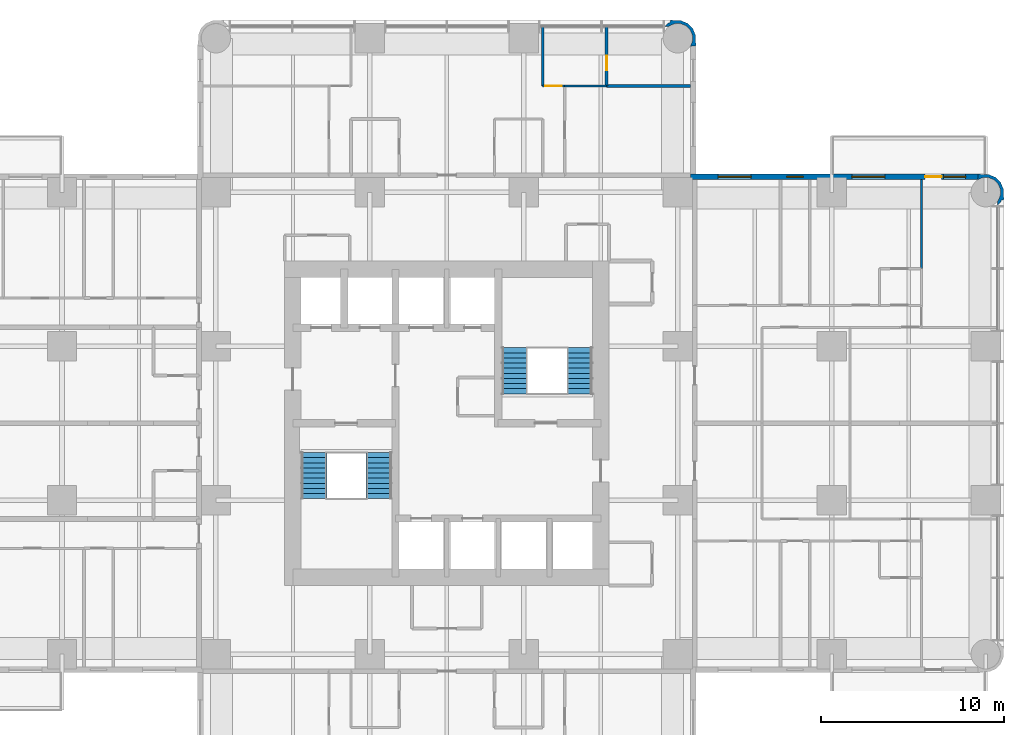
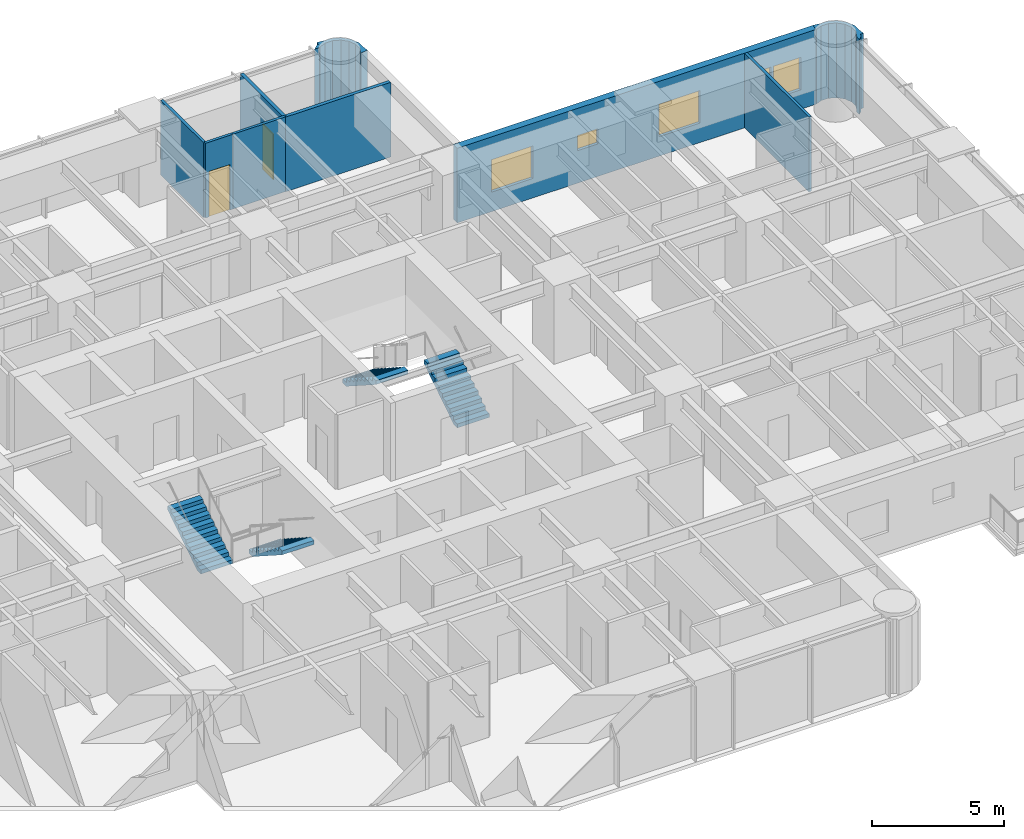
# One storey, part 12 of 14: 9 walls, 4 stair flights, 4 windows, 3 doors, 7 openings, 2 elements without a shape of their own.
"""IFC4 building model written with IfcOpenShell, lengths in metres."""

from ifc_helpers import new_model, si_unit, direction, frame, frame_2d, origin, place, context, subcontext, project, spatial, polyline, rectangle, outline, extrude, material, layer, layer_set, type_object, element, fill, aggregate, save


model = new_model("IFC4")

# Units and contexts
model_context = context("Model", 3, precision=1e-05, world=origin(), true_north=direction((0.0, 1.0)))
body_context = subcontext(model_context, "Body", "Model", "MODEL_VIEW")
ifc_project = project(units=[si_unit("LENGTHUNIT", "METRE"), si_unit("AREAUNIT", "SQUARE_METRE"), si_unit("VOLUMEUNIT", "CUBIC_METRE"), si_unit("PLANEANGLEUNIT", "RADIAN"), si_unit("MASSUNIT", "GRAM", prefix="KILO")], contexts=[model_context])

# Site, building, storey
site_placement = place(None, origin())
site = spatial("IfcSite", under=ifc_project, at=site_placement, CompositionType="ELEMENT")
building_placement = place(site_placement, origin())
building = spatial("IfcBuilding", under=site, at=building_placement, Name="Torre Alcanfor", CompositionType="ELEMENT")
storey_placement = place(building_placement, frame((0.0, 0.0, 137.699951171875)))
storey = spatial("IfcBuildingStorey", under=building, at=storey_placement, Name="L35", CompositionType="ELEMENT", Elevation=137.699951171875)

# Wall
ifc_material_1 = material(Name="Gypsum board on steel studs", Category="steel")
ifc_layer_1 = layer(ifc_material_1, 0.1201171875)
ifc_layer_set_1 = layer_set([ifc_layer_1], Name="Apartment partition 120")
wall_type_1 = type_object("IfcWallType", Name="Apartment partition 120", PredefinedType="PARTITIONING", material=ifc_layer_set_1)
wall_1_placement = place(storey_placement, frame((34.62890625, 51.050048828125, 0.0), z_axis=(0.0, 0.0, 1.0), x_axis=(0.0, -1.0, 0.0)))
element("IfcWall", 1, at=wall_1_placement, inside=storey, type_object=wall_type_1, Name="Partition L35-NX-LIVING / L35-NX-BED1", PredefinedType="PARTITIONING", context=body_context, shape_type="SweptSolid", body=[
    extrude(rectangle(XDim=3.25, YDim=0.1201171875, at=frame_2d((1.625, 0.0))), origin(), (0.0, 0.0, 1.0), 3.449951171875),
])

# Wall, opening, door
wall_2_placement = place(storey_placement, frame((34.62890625, 47.800048828125, 0.0), z_axis=(0.0, 0.0, 1.0), x_axis=(1.0, 0.0, 0.0)))
wall_2 = element("IfcWall", 2, at=wall_2_placement, inside=storey, type_object=wall_type_1, Name="Partition L35-NX-LIVING / L35-NX-BED1", PredefinedType="PARTITIONING", context=body_context, shape_type="SweptSolid", body=[
    extrude(rectangle(XDim=1.2001953125, YDim=0.1201171875, at=frame_2d((0.60009765625, 0.0))), origin(), (0.0, 0.0, 1.0), 3.449951171875),
])
opening_1_placement = place(wall_2_placement, frame((0.15087890625, 0.0, 0.0)))
opening_1 = element("IfcOpeningElement", 3, at=opening_1_placement, cuts=wall_2, Name="Opening D-R1", PredefinedType="OPENING", context=body_context, shape_type="SweptSolid", body=[
    extrude(rectangle(XDim=0.89990234375, YDim=2.10009765625, at=frame_2d((0.449951171875, 1.050048828125))), frame((0.0, 0.070068359375, 0.0), z_axis=(0.0, -1.0, 0.0), x_axis=(1.0, 0.0, 0.0)), (0.0, 0.0, 1.0), 0.14013671875),
])
ifc_material_2 = material(Name="Timber", Category="wood")
door_type_1 = type_object("IfcDoorType", Name="Internal door 900x2100", OperationType="SINGLE_SWING_LEFT", PredefinedType="DOOR", material=ifc_material_2)
door_1_placement = place(opening_1_placement, origin())
door_1 = element("IfcDoor", 4, at=door_1_placement, inside=storey, type_object=door_type_1, Name="Door L35-NX bed1", OperationType="SINGLE_SWING_LEFT", OverallHeight=2.10009765625, OverallWidth=0.89990234375, PredefinedType="DOOR", context=body_context, shape_type="SweptSolid", body=[
    extrude(rectangle(XDim=0.89990234375, YDim=2.10009765625, at=frame_2d((0.449951171875, 1.050048828125))), frame((0.0, 0.02490234375, 0.0), z_axis=(0.0, -1.0, 0.0), x_axis=(1.0, 0.0, 0.0)), (0.0, 0.0, 1.0), 0.050048828125),
])
fill(opening_1, door_1)

# Walls
wall_3_placement = place(storey_placement, frame((38.114013671875, 47.800048828125, 0.0), z_axis=(0.0, 0.0, 1.0), x_axis=(-1.0, 0.0, 0.0)))
element("IfcWall", 5, at=wall_3_placement, inside=storey, type_object=wall_type_1, Name="Partition L35-NX-BED3 / L35-NX-BED1", PredefinedType="PARTITIONING", context=body_context, shape_type="SweptSolid", body=[
    extrude(rectangle(XDim=2.284912109375, YDim=0.1201171875, at=frame_2d((1.142578125, 0.0))), origin(), (0.0, 0.0, 1.0), 3.449951171875),
])
wall_4_placement = place(storey_placement, frame((55.300048828125, 42.699951171875, 0.0), z_axis=(0.0, 0.0, 1.0), x_axis=(0.0, -1.0, 0.0)))
element("IfcWall", 6, at=wall_4_placement, inside=storey, type_object=wall_type_1, Name="Partition L35-E1-MASTER / L35-E1-WGARD", PredefinedType="PARTITIONING", context=body_context, shape_type="SweptSolid", body=[
    extrude(rectangle(XDim=4.870849609375, YDim=0.1201171875, at=frame_2d((2.435546875, 0.0))), origin(), (0.0, 0.0, 1.0), 3.449951171875),
])

# Wall, openings, door, windows
ifc_material_3 = material(Name="Limestone cladding", Category="masonry")
ifc_layer_2 = layer(ifc_material_3, 0.0400390625, Name="Facing")
ifc_material_4 = material(Name="Ventilated air cavity")
ifc_layer_3 = layer(ifc_material_4, 0.02001953125, ventilated=True, Name="Ventilated joint")
ifc_material_5 = material(Name="Mineral wool insulation", Category="insulation")
ifc_layer_4 = layer(ifc_material_5, 0.10009765625, Name="Insulation")
ifc_material_6 = material(Name="Concrete f'c 35 MPa", Category="concrete")
ifc_layer_5 = layer(ifc_material_6, 0.139892578125, Name="Backing")
ifc_layer_set_2 = layer_set([ifc_layer_2, ifc_layer_3, ifc_layer_4, ifc_layer_5], Name="External wall stone-clad 300")
wall_type_2 = type_object("IfcWallType", Name="External wall stone-clad 300", PredefinedType="SOLIDWALL", material=ifc_layer_set_2)
wall_5_placement = place(storey_placement, frame((58.39990234375, 42.85009765625, 0.0), z_axis=(0.0, 0.0, 1.0), x_axis=(-1.0, 0.0, 0.0)))
wall_5 = element("IfcWall", 7, at=wall_5_placement, inside=storey, type_object=wall_type_2, Name="External wall L35 9", PredefinedType="SOLIDWALL", context=body_context, shape_type="SweptSolid", body=[
    extrude(rectangle(XDim=15.699951171875, YDim=0.300048828125, at=frame_2d((7.85009765625, 0.0))), origin(), (0.0, 0.0, 1.0), 3.449951171875),
])
opening_2_placement = place(wall_5_placement, frame((12.39990234375, 0.0, 0.89990234375)))
opening_2 = element("IfcOpeningElement", 8, at=opening_2_placement, cuts=wall_5, Name="Opening W2", PredefinedType="OPENING", context=body_context, shape_type="SweptSolid", body=[
    extrude(rectangle(XDim=1.800048828125, YDim=1.5, at=frame_2d((0.89990234375, 0.75))), frame((0.0, 0.159912109375, 0.0), z_axis=(0.0, -1.0, 0.0), x_axis=(1.0, 0.0, 0.0)), (0.0, 0.0, 1.0), 0.320068359375),
])
opening_3_placement = place(wall_5_placement, frame((9.550048828125, 0.0, 1.5)))
opening_3 = element("IfcOpeningElement", 9, at=opening_3_placement, cuts=wall_5, Name="Opening W3", PredefinedType="OPENING", context=body_context, shape_type="SweptSolid", body=[
    extrude(rectangle(XDim=0.89990234375, YDim=0.699951171875, at=frame_2d((0.449951171875, 0.35009765625))), frame((0.0, 0.159912109375, 0.0), z_axis=(0.0, -1.0, 0.0), x_axis=(1.0, 0.0, 0.0)), (0.0, 0.0, 1.0), 0.320068359375),
])
opening_4_placement = place(wall_5_placement, frame((5.10009765625, 0.0, 0.89990234375)))
opening_4 = element("IfcOpeningElement", 10, at=opening_4_placement, cuts=wall_5, Name="Opening W2", PredefinedType="OPENING", context=body_context, shape_type="SweptSolid", body=[
    extrude(rectangle(XDim=1.800048828125, YDim=1.5, at=frame_2d((0.89990234375, 0.75))), frame((0.0, 0.159912109375, 0.0), z_axis=(0.0, -1.0, 0.0), x_axis=(1.0, 0.0, 0.0)), (0.0, 0.0, 1.0), 0.320068359375),
])
opening_5_placement = place(wall_5_placement, frame((2.0, 0.0, 0.0)))
opening_5 = element("IfcOpeningElement", 11, at=opening_5_placement, cuts=wall_5, Name="Opening D-B1", PredefinedType="OPENING", context=body_context, shape_type="SweptSolid", body=[
    extrude(rectangle(XDim=0.89990234375, YDim=2.39990234375, at=frame_2d((0.449951171875, 1.199951171875))), frame((0.0, 0.159912109375, 0.0), z_axis=(0.0, -1.0, 0.0), x_axis=(1.0, 0.0, 0.0)), (0.0, 0.0, 1.0), 0.320068359375),
])
opening_6_placement = place(wall_5_placement, frame((0.699951171875, 0.0, 0.89990234375)))
opening_6 = element("IfcOpeningElement", 12, at=opening_6_placement, cuts=wall_5, Name="Opening W4", PredefinedType="OPENING", context=body_context, shape_type="SweptSolid", body=[
    extrude(rectangle(XDim=1.199951171875, YDim=1.5, at=frame_2d((0.60009765625, 0.75))), frame((0.0, 0.159912109375, 0.0), z_axis=(0.0, -1.0, 0.0), x_axis=(1.0, 0.0, 0.0)), (0.0, 0.0, 1.0), 0.320068359375),
])
ifc_material_7 = material(Name="Aluminium and glass", Category="aluminium")
door_type_2 = type_object("IfcDoorType", Name="Balcony door glazed 900x2400", OperationType="SINGLE_SWING_LEFT", PredefinedType="DOOR", material=ifc_material_7)
door_2_placement = place(opening_5_placement, origin())
door_2 = element("IfcDoor", 13, at=door_2_placement, inside=storey, type_object=door_type_2, Name="Balcony door L35-E1", OperationType="SINGLE_SWING_RIGHT", OverallHeight=2.39990234375, OverallWidth=0.89990234375, PredefinedType="DOOR", context=body_context, shape_type="SweptSolid", body=[
    extrude(rectangle(XDim=0.89990234375, YDim=2.39990234375, at=frame_2d((0.449951171875, 1.199951171875))), frame((0.0, 0.02490234375, 0.0), z_axis=(0.0, -1.0, 0.0), x_axis=(1.0, 0.0, 0.0)), (0.0, 0.0, 1.0), 0.050048828125),
])
fill(opening_5, door_2)
ifc_material_8 = material(Name="Aluminium frame with clear double glazing", Category="aluminium")
window_type_1 = type_object("IfcWindowType", Name="Window bathroom 900x700", PartitioningType="SINGLE_PANEL", PredefinedType="WINDOW", material=ifc_material_8)
window_1_placement = place(opening_3_placement, origin())
window_1 = element("IfcWindow", 14, at=window_1_placement, inside=storey, type_object=window_type_1, Name="Window W3 L35-E1", OverallHeight=0.699951171875, OverallWidth=0.89990234375, PartitioningType="SINGLE_PANEL", PredefinedType="WINDOW", context=body_context, shape_type="SweptSolid", body=[
    extrude(rectangle(XDim=0.89990234375, YDim=0.699951171875, at=frame_2d((0.449951171875, 0.35009765625))), frame((0.0, 0.030029296875, 0.0), z_axis=(0.0, -1.0, 0.0), x_axis=(1.0, 0.0, 0.0)), (0.0, 0.0, 1.0), 0.06005859375),
])
fill(opening_3, window_1)
ifc_material_9 = material(Name="Aluminium frame with clear double glazing", Category="aluminium")
window_type_2 = type_object("IfcWindowType", Name="Window bedroom 1200x1500", PartitioningType="SINGLE_PANEL", PredefinedType="WINDOW", material=ifc_material_9)
window_2_placement = place(opening_6_placement, origin())
window_2 = element("IfcWindow", 15, at=window_2_placement, inside=storey, type_object=window_type_2, Name="Window W4 L35-E1", OverallHeight=1.5, OverallWidth=1.199951171875, PartitioningType="SINGLE_PANEL", PredefinedType="WINDOW", context=body_context, shape_type="SweptSolid", body=[
    extrude(rectangle(XDim=1.199951171875, YDim=1.5, at=frame_2d((0.60009765625, 0.75))), frame((0.0, 0.030029296875, 0.0), z_axis=(0.0, -1.0, 0.0), x_axis=(1.0, 0.0, 0.0)), (0.0, 0.0, 1.0), 0.06005859375),
])
fill(opening_6, window_2)
ifc_material_10 = material(Name="Aluminium frame with clear double glazing", Category="aluminium")
window_type_3 = type_object("IfcWindowType", Name="Window bedroom 1800x1500", PartitioningType="SINGLE_PANEL", PredefinedType="WINDOW", material=ifc_material_10)
window_3_placement = place(opening_2_placement, origin())
window_3 = element("IfcWindow", 16, at=window_3_placement, inside=storey, type_object=window_type_3, Name="Window W2 L35-E1", OverallHeight=1.5, OverallWidth=1.800048828125, PartitioningType="SINGLE_PANEL", PredefinedType="WINDOW", context=body_context, shape_type="SweptSolid", body=[
    extrude(rectangle(XDim=1.800048828125, YDim=1.5, at=frame_2d((0.89990234375, 0.75))), frame((0.0, 0.030029296875, 0.0), z_axis=(0.0, -1.0, 0.0), x_axis=(1.0, 0.0, 0.0)), (0.0, 0.0, 1.0), 0.06005859375),
])
fill(opening_2, window_3)
window_4_placement = place(opening_4_placement, origin())
window_4 = element("IfcWindow", 17, at=window_4_placement, inside=storey, type_object=window_type_3, Name="Window W2 L35-E1", OverallHeight=1.5, OverallWidth=1.800048828125, PartitioningType="SINGLE_PANEL", PredefinedType="WINDOW", context=body_context, shape_type="SweptSolid", body=[
    extrude(rectangle(XDim=1.800048828125, YDim=1.5, at=frame_2d((0.89990234375, 0.75))), frame((0.0, 0.030029296875, 0.0), z_axis=(0.0, -1.0, 0.0), x_axis=(1.0, 0.0, 0.0)), (0.0, 0.0, 1.0), 0.06005859375),
])
fill(opening_4, window_4)

# Walls
ifc_layer_6 = layer(ifc_material_3, 0.0400390625, Name="Facing")
ifc_layer_7 = layer(ifc_material_4, 0.02001953125, ventilated=True, Name="Ventilated joint")
ifc_layer_8 = layer(ifc_material_5, 0.10009765625, Name="Insulation")
ifc_layer_9 = layer(ifc_material_6, 0.139892578125, Name="Backing")
ifc_layer_set_3 = layer_set([ifc_layer_6, ifc_layer_7, ifc_layer_8, ifc_layer_9], Name="Rounded corner pier stone-clad 300")
wall_type_3 = type_object("IfcWallType", Name="Rounded corner pier stone-clad 300", PredefinedType="SOLIDWALL", material=ifc_layer_set_3)
wall_6_placement = place(storey_placement, frame((59.395317512, 41.351928198, 0.0), z_axis=(0.0, 0.0, 1.0), x_axis=(0.93923434088, 0.343276641956, 0.0)))
element("IfcWall", 18, at=wall_6_placement, inside=storey, type_object=wall_type_3, Name="Corner pier L35 18", PredefinedType="SOLIDWALL", context=body_context, shape_type="SweptSolid", body=[
    extrude(outline(polyline([(0.5319791374717469, 0.3931546875748424), (0.6305370795958255, 0.662817672163305), (0.614285462759775, 1.044364627998893), (0.4533652442516045, 1.3906676424071163), (0.17222000156622597, 1.6491237258576117), (-0.09744298302223653, 1.7476816679816904), (-0.36918355555989557, 1.8896284089825286), (-0.509101456401082, 1.6213052972671853), (-0.49052773042177455, 1.6145168675800676), (-0.47941981662998623, 1.6086375342973744), (-0.2113919059229058, 1.6201101578142136), (0.08785145707704622, 1.5107410128550955), (0.32257352025202113, 1.2952455132706726), (0.4567838912150332, 1.0060128786275908), (0.47036434537540095, 0.687566849311498), (0.36107900819019806, 0.38855279157054984), (0.14535420334677107, 0.1539145361694899), (0.10800994465551556, 0.13637103018492347), (0.030906792653685306, -0.07458980809856762), (0.2410056377422186, 0.023039004395991533), (0.3334055822831027, 0.12365495968313633), (0.46532832919806827, 0.0941544704520565), (0.5319791374717469, 0.3931546875748424)])), origin(), (0.0, 0.0, 1.0), 3.449951171875),
])
wall_7_placement = place(storey_placement, frame((42.817059488, 50.073176205, 0.0), z_axis=(0.0, 0.0, 1.0), x_axis=(0.343276641956, 0.93923434088, 0.0)))
element("IfcWall", 19, at=wall_7_placement, inside=storey, type_object=wall_type_3, Name="Corner pier L35 19", PredefinedType="SOLIDWALL", context=body_context, shape_type="SweptSolid", body=[
    extrude(outline(polyline([(0.2655808672444785, -0.0550807599050476), (0.5354731570919448, 0.04356098999294611), (0.8166183997773234, 0.30201707344344164), (0.9775386182854939, 0.6483200878516648), (0.9937902351215443, 1.0298670436872528), (0.8952322929974657, 1.2995300282757154), (0.8283521794647835, 1.5984464376245864), (0.6966587378088214, 1.5690297561674216), (0.6042587932679374, 1.6696457114545662), (0.39415994817940425, 1.7672745239491254), (0.47126310018123446, 1.5563136856656343), (0.50860735887249, 1.538770179681068), (0.7241028584569131, 1.304048116506093), (0.833388195642116, 1.0050340587651447), (0.8200370467407522, 0.686671837222967), (0.68582667577774, 0.3974392025798854), (0.4511046126027651, 0.18194370299546214), (0.15186124960281305, 0.07257455803634424), (-0.11616666110426738, 0.08404718155318341), (-0.12750388015505948, 0.07808404049657515), (-0.14607760613436685, 0.07129561080945748), (-0.0059304000341767055, -0.19694369313197083), (0.2655808672444785, -0.0550807599050476)])), origin(), (0.0, 0.0, 1.0), 3.449951171875),
])
ifc_material_11 = material(Name="Cement board on steel studs", Category="steel")
ifc_layer_10 = layer(ifc_material_11, 0.14990234375)
ifc_layer_set_4 = layer_set([ifc_layer_10], Name="Wet area partition 150")
wall_type_4 = type_object("IfcWallType", Name="Wet area partition 150", PredefinedType="PARTITIONING", material=ifc_layer_set_4)
wall_8_placement = place(storey_placement, frame((42.699951171875, 47.800048828125, 0.0), z_axis=(0.0, 0.0, 1.0), x_axis=(-1.0, 0.0, 0.0)))
element("IfcWall", 20, at=wall_8_placement, inside=storey, type_object=wall_type_4, Name="Partition L35-NX-BED3 / L35-NX-BATH1", PredefinedType="PARTITIONING", context=body_context, shape_type="SweptSolid", body=[
    extrude(rectangle(XDim=4.5859375, YDim=0.14990234375, at=frame_2d((2.29296875, 0.0))), origin(), (0.0, 0.0, 1.0), 3.449951171875),
])

# Wall, opening, door
wall_9_placement = place(storey_placement, frame((38.114013671875, 51.050048828125, 0.0), z_axis=(0.0, 0.0, 1.0), x_axis=(0.0, -1.0, 0.0)))
wall_9 = element("IfcWall", 21, at=wall_9_placement, inside=storey, type_object=wall_type_4, Name="Partition L35-NX-BATH1 / L35-NX-BED1", PredefinedType="PARTITIONING", context=body_context, shape_type="SweptSolid", body=[
    extrude(rectangle(XDim=3.25, YDim=0.14990234375, at=frame_2d((1.625, 0.0))), origin(), (0.0, 0.0, 1.0), 3.449951171875),
])
opening_7_placement = place(wall_9_placement, frame((1.60009765625, 0.0, 0.0)))
opening_7 = element("IfcOpeningElement", 22, at=opening_7_placement, cuts=wall_9, Name="Opening D-R2", PredefinedType="OPENING", context=body_context, shape_type="SweptSolid", body=[
    extrude(rectangle(XDim=0.800048828125, YDim=2.10009765625, at=frame_2d((0.39990234375, 1.050048828125))), frame((0.0, 0.0849609375, 0.0), z_axis=(0.0, -1.0, 0.0), x_axis=(1.0, 0.0, 0.0)), (0.0, 0.0, 1.0), 0.169921875),
])
ifc_material_12 = material(Name="Timber", Category="wood")
door_type_3 = type_object("IfcDoorType", Name="Bathroom door 800x2100", OperationType="SINGLE_SWING_LEFT", PredefinedType="DOOR", material=ifc_material_12)
door_3_placement = place(opening_7_placement, frame((0.800048828125, 0.0, 0.0), z_axis=(0.0, 0.0, 1.0), x_axis=(-1.0, 0.0, 0.0)))
door_3 = element("IfcDoor", 23, at=door_3_placement, inside=storey, type_object=door_type_3, Name="Door L35-NX bath1", OperationType="SINGLE_SWING_LEFT", OverallHeight=2.10009765625, OverallWidth=0.800048828125, PredefinedType="DOOR", context=body_context, shape_type="SweptSolid", body=[
    extrude(rectangle(XDim=0.800048828125, YDim=2.10009765625, at=frame_2d((0.400146484375, 1.050048828125))), frame((0.0, 0.025146484375, 0.0), z_axis=(0.0, -1.0, 0.0), x_axis=(1.0, 0.0, 0.0)), (0.0, 0.0, 1.0), 0.050048828125),
])
fill(opening_7, door_3)

# Stair, stair flights
ifc_material_13 = material(Name="Concrete f'c 35 MPa", Category="concrete")
stair_type_1 = type_object("IfcStairType", Name="Exit stair S1 1400 wide", PredefinedType="HALF_TURN_STAIR", material=ifc_material_13)
stair_1_placement = place(storey_placement, origin())
stair_1 = element("IfcStair", 24, at=stair_1_placement, inside=storey, type_object=stair_type_1, Name="Stair S1 L35 to L36", PredefinedType="HALF_TURN_STAIR")
ifc_material_14 = material(Name="Concrete f'c 35 MPa", Category="concrete")
stair_flight_type = type_object("IfcStairFlightType", Name="Stair flight 1400", PredefinedType="STRAIGHT", material=ifc_material_14)
stair_flight_1_placement = place(storey_placement, frame((25.699951171875, 27.800048828125, 0.0), z_axis=(0.0, 0.0, 1.0), x_axis=(0.0, -1.0, 0.0)))
stair_flight_1 = element("IfcStairFlight", 25, at=stair_flight_1_placement, type_object=stair_flight_type, Name="S1 flight 1", NumberOfRisers=10, NumberOfTreads=9, PredefinedType="STRAIGHT", RiserHeight=0.18, TreadLength=0.28, context=body_context, shape_type="SweptSolid", body=[
    extrude(outline(polyline([(0.0, 0.0), (0.0, 0.179931640625), (0.280029296875, 0.179931640625), (0.280029296875, 0.360107421875), (0.56005859375, 0.360107421875), (0.56005859375, 0.5400390625), (0.840087890625, 0.5400390625), (0.840087890625, 0.719970703125), (1.1201171875, 0.719970703125), (1.1201171875, 0.89990234375), (1.39990234375, 0.89990234375), (1.39990234375, 1.080078125), (1.679931640625, 1.080078125), (1.679931640625, 1.260009765625), (1.9599609375, 1.260009765625), (1.9599609375, 1.43994140625), (2.239990234375, 1.43994140625), (2.239990234375, 1.6201171875), (2.52001953125, 1.6201171875), (2.52001953125, 1.800048828125), (2.52001953125, 1.44189453125), (0.277099609375, 0.0), (0.0, 0.0)])), frame((0.0, 0.699951171875, 0.0), z_axis=(0.0, -1.0, 0.0), x_axis=(1.0, 0.0, 0.0)), (0.0, 0.0, 1.0), 1.39990234375),
])
stair_flight_2_placement = place(storey_placement, frame((22.14990234375, 25.280029296875, 1.800048828125), z_axis=(0.0, 0.0, 1.0), x_axis=(0.0, 1.0, 0.0)))
stair_flight_2 = element("IfcStairFlight", 26, at=stair_flight_2_placement, type_object=stair_flight_type, Name="S1 flight 2", NumberOfRisers=10, NumberOfTreads=9, PredefinedType="STRAIGHT", RiserHeight=0.18, TreadLength=0.28, context=body_context, shape_type="SweptSolid", body=[
    extrude(outline(polyline([(0.0, 0.0), (0.0, 0.179931640625), (0.280029296875, 0.179931640625), (0.280029296875, 0.360107421875), (0.56005859375, 0.360107421875), (0.56005859375, 0.5400390625), (0.840087890625, 0.5400390625), (0.840087890625, 0.719970703125), (1.1201171875, 0.719970703125), (1.1201171875, 0.89990234375), (1.39990234375, 0.89990234375), (1.39990234375, 1.080078125), (1.679931640625, 1.080078125), (1.679931640625, 1.260009765625), (1.9599609375, 1.260009765625), (1.9599609375, 1.43994140625), (2.239990234375, 1.43994140625), (2.239990234375, 1.6201171875), (2.52001953125, 1.6201171875), (2.52001953125, 1.800048828125), (2.52001953125, 1.44189453125), (0.277099609375, 0.0), (0.0, 0.0)])), frame((0.0, 0.699951171875, 0.0), z_axis=(0.0, -1.0, 0.0), x_axis=(1.0, 0.0, 0.0)), (0.0, 0.0, 1.0), 1.39990234375),
])
aggregate(stair_1, [stair_flight_1, stair_flight_2])

ifc_material_15 = material(Name="Concrete f'c 35 MPa", Category="concrete")
stair_type_2 = type_object("IfcStairType", Name="Exit stair S2 1400 wide", PredefinedType="HALF_TURN_STAIR", material=ifc_material_15)
stair_2_placement = place(storey_placement, origin())
stair_2 = element("IfcStair", 27, at=stair_2_placement, inside=storey, type_object=stair_type_2, Name="Stair S2 L35 to L36", PredefinedType="HALF_TURN_STAIR")
stair_flight_3_placement = place(storey_placement, frame((36.64990234375, 31.0, 0.0), z_axis=(0.0, 0.0, 1.0), x_axis=(0.0, 1.0, 0.0)))
stair_flight_3 = element("IfcStairFlight", 28, at=stair_flight_3_placement, type_object=stair_flight_type, Name="S2 flight 1", NumberOfRisers=10, NumberOfTreads=9, PredefinedType="STRAIGHT", RiserHeight=0.18, TreadLength=0.28, context=body_context, shape_type="SweptSolid", body=[
    extrude(outline(polyline([(0.0, 0.0), (0.0, 0.179931640625), (0.280029296875, 0.179931640625), (0.280029296875, 0.360107421875), (0.56005859375, 0.360107421875), (0.56005859375, 0.5400390625), (0.840087890625, 0.5400390625), (0.840087890625, 0.719970703125), (1.1201171875, 0.719970703125), (1.1201171875, 0.89990234375), (1.39990234375, 0.89990234375), (1.39990234375, 1.080078125), (1.679931640625, 1.080078125), (1.679931640625, 1.260009765625), (1.9599609375, 1.260009765625), (1.9599609375, 1.43994140625), (2.239990234375, 1.43994140625), (2.239990234375, 1.6201171875), (2.52001953125, 1.6201171875), (2.52001953125, 1.800048828125), (2.52001953125, 1.44189453125), (0.277099609375, 0.0), (0.0, 0.0)])), frame((0.0, 0.699951171875, 0.0), z_axis=(0.0, -1.0, 0.0), x_axis=(1.0, 0.0, 0.0)), (0.0, 0.0, 1.0), 1.39990234375),
])
stair_flight_4_placement = place(storey_placement, frame((33.10009765625, 33.52001953125, 1.800048828125), z_axis=(0.0, 0.0, 1.0), x_axis=(0.0, -1.0, 0.0)))
stair_flight_4 = element("IfcStairFlight", 29, at=stair_flight_4_placement, type_object=stair_flight_type, Name="S2 flight 2", NumberOfRisers=10, NumberOfTreads=9, PredefinedType="STRAIGHT", RiserHeight=0.18, TreadLength=0.28, context=body_context, shape_type="SweptSolid", body=[
    extrude(outline(polyline([(0.0, 0.0), (0.0, 0.179931640625), (0.280029296875, 0.179931640625), (0.280029296875, 0.360107421875), (0.56005859375, 0.360107421875), (0.56005859375, 0.5400390625), (0.840087890625, 0.5400390625), (0.840087890625, 0.719970703125), (1.1201171875, 0.719970703125), (1.1201171875, 0.89990234375), (1.39990234375, 0.89990234375), (1.39990234375, 1.080078125), (1.679931640625, 1.080078125), (1.679931640625, 1.260009765625), (1.9599609375, 1.260009765625), (1.9599609375, 1.43994140625), (2.239990234375, 1.43994140625), (2.239990234375, 1.6201171875), (2.52001953125, 1.6201171875), (2.52001953125, 1.800048828125), (2.52001953125, 1.44189453125), (0.277099609375, 0.0), (0.0, 0.0)])), frame((0.0, 0.699951171875, 0.0), z_axis=(0.0, -1.0, 0.0), x_axis=(1.0, 0.0, 0.0)), (0.0, 0.0, 1.0), 1.39990234375),
])
aggregate(stair_2, [stair_flight_3, stair_flight_4])

save(model, "model.ifc")
